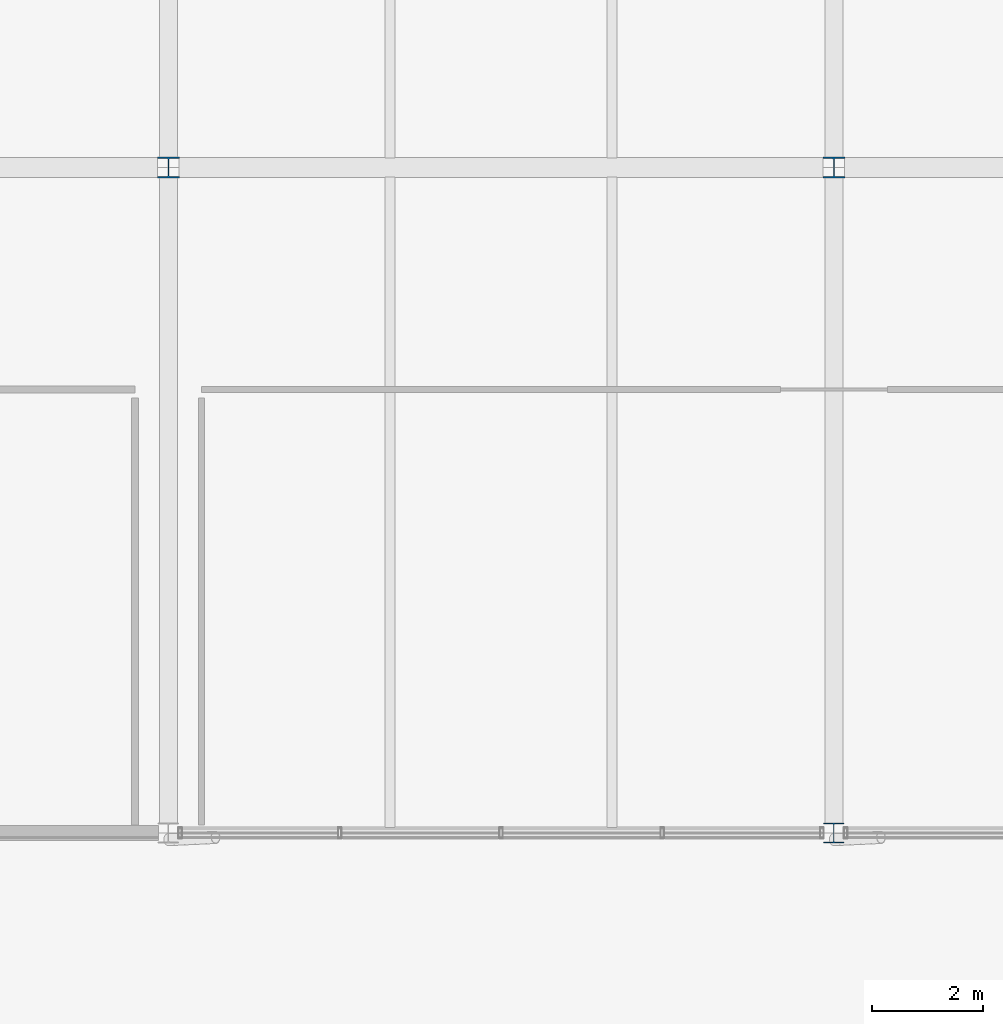
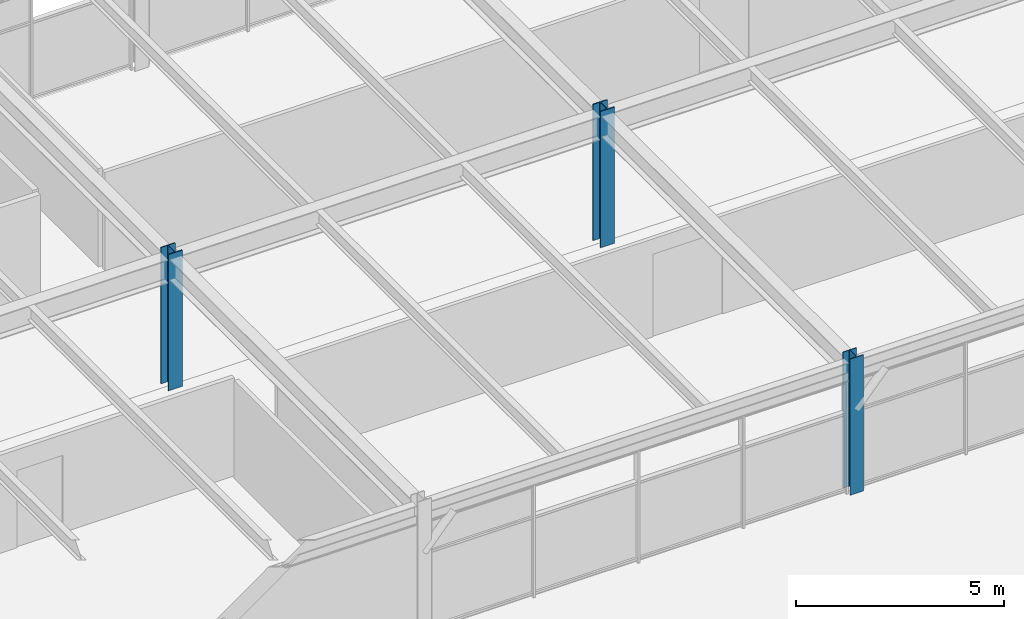
# One storey, part 2 of 30: 3 columns.
"""IFC4 building model written with IfcOpenShell, lengths in metres."""

import ifcopenshell
import ifcopenshell.guid

model = None  # the IFC model being written
_history = None  # IfcOwnerHistory: only IFC2X3 demands one
_inside = {}  # id of a spatial element -> (the spatial element, [elements in it])
_under = {}  # id of a project, library or spatial element -> (it, [spatial elements below it])
_declared = {}  # id of a project -> (the project, [libraries it declares])
_typed = {}  # id of a type object -> (the type object, [elements of that type])
_made_of = {}  # id of a material, layer set ... -> (it, [elements and type objects made of it])


def new_model(schema):
    """Start an empty IFC model of exactly this schema.

    Asked for "IFC4X3", IfcOpenShell would pick the latest addendum, in which some entities
    have other attributes; the version numbers below select the first issue.
    IFC2X3 requires an IfcOwnerHistory on every rooted entity: one is made here for all.
    """
    global model, _history
    if schema == "IFC4X3":
        model = ifcopenshell.file(schema_version=(4, 3, 0, 0))
    else:
        model = ifcopenshell.file(schema=schema)
    _inside.clear()
    _under.clear()
    _declared.clear()
    _typed.clear()
    _made_of.clear()
    _history = None
    if model.schema == "IFC2X3":
        org = make("IfcOrganization", Name="unknown")
        user = make(
            "IfcPersonAndOrganization",
            ThePerson=make("IfcPerson", FamilyName="unknown"),
            TheOrganization=org,
        )
        app = make(
            "IfcApplication",
            ApplicationDeveloper=org,
            Version="unknown",
            ApplicationFullName="unknown",
            ApplicationIdentifier="unknown",
        )
        _history = make(
            "IfcOwnerHistory",
            OwningUser=user,
            OwningApplication=app,
            ChangeAction="ADDED",
            CreationDate=0,
        )
    return model


def make(cls, **values):
    """One entity of the class cls with the attributes given. An attribute that is None is left unset."""
    return model.create_entity(
        cls, **{name: value for name, value in values.items() if value is not None}
    )


def rooted(cls, **values):
    """An entity with a GlobalId (a new one), such as an element, a storey or a relation."""
    return make(cls, GlobalId=ifcopenshell.guid.new(), OwnerHistory=_history, **values)


def si_unit(unit_type, name, prefix=None):
    """IfcSIUnit, for example si_unit("LENGTHUNIT", "METRE", prefix="MILLI")."""
    return make("IfcSIUnit", UnitType=unit_type, Prefix=prefix, Name=name)


def assignment(units):
    """IfcUnitAssignment: the units of a project."""
    return None if units is None else make("IfcUnitAssignment", Units=units)


def point(xyz):
    """IfcCartesianPoint."""
    return None if xyz is None else make("IfcCartesianPoint", Coordinates=xyz)


def direction(xyz):
    """IfcDirection."""
    return None if xyz is None else make("IfcDirection", DirectionRatios=xyz)


def frame(location, z_axis=None, x_axis=None):
    """IfcAxis2Placement3D, a coordinate frame: its origin and axes. An axis left out is left unset."""
    return make(
        "IfcAxis2Placement3D",
        Location=point(location),
        Axis=direction(z_axis),
        RefDirection=direction(x_axis),
    )


def frame_2d(location, x_axis=None):
    """IfcAxis2Placement2D, a coordinate frame in the plane: its origin and x axis."""
    return make(
        "IfcAxis2Placement2D", Location=point(location), RefDirection=direction(x_axis)
    )


def origin():
    """The frame at (0, 0, 0) with its axes left unset."""
    return frame((0.0, 0.0, 0.0))


def origin_2d():
    """The frame at (0, 0) in the plane with its x axis left unset."""
    return frame_2d((0.0, 0.0))


def place(relative_to, where):
    """IfcLocalPlacement: puts the frame where relative to a parent placement (None: the world)."""
    return make(
        "IfcLocalPlacement", PlacementRelTo=relative_to, RelativePlacement=where
    )


def context(
    kind, dimensions, precision=None, world=None, true_north=None, identifier=None
):
    """IfcGeometricRepresentationContext, for example the 3D "Model" context."""
    return make(
        "IfcGeometricRepresentationContext",
        ContextIdentifier=identifier,
        ContextType=kind,
        CoordinateSpaceDimension=dimensions,
        Precision=precision,
        WorldCoordinateSystem=world,
        TrueNorth=true_north,
    )


def subcontext(parent, identifier, kind, view, scale=None):
    """IfcGeometricRepresentationSubContext, for example "Body" below "Model"."""
    return make(
        "IfcGeometricRepresentationSubContext",
        ContextIdentifier=identifier,
        ContextType=kind,
        ParentContext=parent,
        TargetScale=scale,
        TargetView=view,
    )


def project(units=None, contexts=None):
    """IfcProject with its units and contexts."""
    return rooted(
        "IfcProject",
        Name="project",
        RepresentationContexts=contexts,
        UnitsInContext=assignment(units),
    )


def spatial(cls, under=None, at=None, **own):
    """A site, building, storey or space (cls), placed at a placement, below another one or the project."""
    s = rooted(cls, ObjectPlacement=at, **own)
    if under is not None:
        _under.setdefault(under.id(), (under, []))[1].append(s)
    return s


def profile(cls, at=None, kind="AREA", **sizes):
    """A parametric profile (cls). Its sizes go by their IFC names, for example OverallWidth=200.0."""
    return make(cls, ProfileType=kind, Position=at, **sizes)


def i_section(**sizes):
    """IfcIShapeProfileDef."""
    return profile("IfcIShapeProfileDef", **sizes)


def extrude(swept, where, along, depth):
    """IfcExtrudedAreaSolid: the profile swept, set in the frame where, extruded along a direction by depth."""
    return make(
        "IfcExtrudedAreaSolid",
        SweptArea=swept,
        Position=where,
        ExtrudedDirection=direction(along),
        Depth=depth,
    )


def shape(context_of_items, identifier, shape_type, items):
    """IfcShapeRepresentation: the items that make up one representation, for example the "Body"."""
    return make(
        "IfcShapeRepresentation",
        ContextOfItems=context_of_items,
        RepresentationIdentifier=identifier,
        RepresentationType=shape_type,
        Items=items,
    )


def material(Name=None, Category=None):
    """IfcMaterial."""
    return make("IfcMaterial", Name=Name, Category=Category)


def material_profile(
    of_material, cross_section, Name=None, Category=None, Priority=None
):
    """IfcMaterialProfile: a cross section and its material."""
    return make(
        "IfcMaterialProfile",
        Name=Name,
        Material=of_material,
        Profile=cross_section,
        Priority=Priority,
        Category=Category,
    )


def profile_set(profiles, Name=None, composite=None):
    """IfcMaterialProfileSet."""
    return make(
        "IfcMaterialProfileSet",
        Name=Name,
        MaterialProfiles=profiles,
        CompositeProfile=composite,
    )


def made_of(thing, what):
    """Note that an element or type object is made of a material, layer set ...; save() writes the relation."""
    if what is not None:
        _made_of.setdefault(what.id(), (what, []))[1].append(thing)
    return thing


def type_object(cls, material=None, **own):
    """A type object (cls), such as IfcWallType, which elements share."""
    return made_of(rooted(cls, **own), material)


def element(
    cls,
    number,
    at=None,
    inside=None,
    cuts=None,
    type_object=None,
    material=None,
    context=None,
    identifier="Body",
    shape_type=None,
    held_by="IfcProductDefinitionShape",
    body=None,
    shapes=None,
    **own,
):
    """One element of the class cls, such as IfcWall. Its Tag is "e" and its number.

    at: its placement. inside: the storey or other place that contains it. cuts: it is an
    opening in that element (IfcRelVoidsElement). A single representation is given by context,
    identifier, shape_type and body (its items); several are given by shapes. held_by: the class
    of the entity that holds the representations. save() writes the other relations.
    """
    e = rooted(cls, Tag="e%d" % number, ObjectPlacement=at, **own)
    if body is not None:
        shapes = [shape(context, identifier, shape_type, body)]
    if shapes is not None:
        e.Representation = make(held_by, Representations=shapes)
    if inside is not None:
        _inside.setdefault(inside.id(), (inside, []))[1].append(e)
    if cuts is not None:
        rooted(
            "IfcRelVoidsElement", RelatingBuildingElement=cuts, RelatedOpeningElement=e
        )
    if type_object is not None:
        _typed.setdefault(type_object.id(), (type_object, []))[1].append(e)
    return made_of(e, material)


def aggregate(whole, parts):
    """IfcRelAggregates: a whole, such as a stair, and the parts it consists of."""
    return rooted("IfcRelAggregates", RelatingObject=whole, RelatedObjects=parts)


def save(model, path):
    """Write the relations noted so far, then the file.

    IfcRelAggregates (storeys below a building ...), IfcRelContainedInSpatialStructure (elements
    in a storey), IfcRelDefinesByType, IfcRelAssociatesMaterial and IfcRelDeclares: one each for
    every whole, place, type object, material and project.
    """
    for whole, parts in _under.values():
        aggregate(whole, parts)
    for where, things in _inside.values():
        rooted(
            "IfcRelContainedInSpatialStructure",
            RelatedElements=things,
            RelatingStructure=where,
        )
    for kind, things in _typed.values():
        rooted("IfcRelDefinesByType", RelatedObjects=things, RelatingType=kind)
    for what, things in _made_of.values():
        rooted("IfcRelAssociatesMaterial", RelatedObjects=things, RelatingMaterial=what)
    for by, libraries in _declared.values():
        rooted("IfcRelDeclares", RelatingContext=by, RelatedDefinitions=libraries)
    model.write(path)


model = new_model("IFC4")

# Units and contexts
model_context = context("Model", 3, precision=1e-05, world=origin(), true_north=direction((0.0, 1.0)))
body_context = subcontext(model_context, "Body", "Model", "MODEL_VIEW")
ifc_project = project(units=[si_unit("LENGTHUNIT", "METRE"), si_unit("AREAUNIT", "SQUARE_METRE"), si_unit("VOLUMEUNIT", "CUBIC_METRE"), si_unit("PLANEANGLEUNIT", "RADIAN"), si_unit("MASSUNIT", "GRAM", prefix="KILO")], contexts=[model_context])

# Site, building, storey
site_placement = place(None, origin())
site = spatial("IfcSite", under=ifc_project, at=site_placement, CompositionType="ELEMENT")
building_placement = place(site_placement, origin())
building = spatial("IfcBuilding", under=site, at=building_placement, Name="Girod Span Mobility Hub", CompositionType="ELEMENT")
storey_placement = place(building_placement, frame((0.0, 0.0, 49.60009765625)))
storey = spatial("IfcBuildingStorey", under=building, at=storey_placement, Name="L12", CompositionType="ELEMENT", Elevation=49.60009765625)

# Columns
ifc_material_1 = material(Name="Steel A992 Grade 50", Category="steel")
ifc_material_profile_1 = material_profile(ifc_material_1, i_section(OverallWidth=0.39404296875, OverallDepth=0.375, WebThickness=0.017333984375, FlangeThickness=0.027587890625, FilletRadius=0.01806640625, at=origin_2d()), Name="W14X145")
ifc_profile_set_1 = profile_set([ifc_material_profile_1], Name="Steel A992 Grade 50")
column_type_1 = type_object("IfcColumnType", Name="COL-STL-W14X145", PredefinedType="COLUMN", material=ifc_profile_set_1)
for number, where, z_axis, x_axis, name in (
    (1, (72.0, 57.0, 0.0), (0.0, 0.0, 1.0), (1.0, 0.0, 0.0), "Column 7E L12"),
    (2, (84.0, 57.0, 0.0), (0.0, 0.0, 1.0), (1.0, 0.0, 0.0), "Column 8E L12"),
):
    element("IfcColumn", number, at=place(storey_placement, frame(where, z_axis=z_axis, x_axis=x_axis)), inside=storey, type_object=column_type_1, Name=name, PredefinedType="COLUMN", context=body_context, shape_type="SweptSolid", body=[
        extrude(i_section(OverallWidth=0.39404296875, OverallDepth=0.375, WebThickness=0.017333984375, FlangeThickness=0.027587890625, FilletRadius=0.01806640625, at=origin_2d()), origin(), (0.0, 0.0, 1.0), 4.0),
    ])
ifc_material_2 = material(Name="Steel A992 Grade 50", Category="steel")
ifc_material_profile_2 = material_profile(ifc_material_2, i_section(OverallWidth=0.368896484375, OverallDepth=0.35595703125, WebThickness=0.01123046875, FlangeThickness=0.01806640625, FilletRadius=0.01806640625, at=origin_2d()), Name="W14X90")
ifc_profile_set_2 = profile_set([ifc_material_profile_2], Name="Steel A992 Grade 50")
column_type_2 = type_object("IfcColumnType", Name="COL-STL-W14X90", PredefinedType="COLUMN", material=ifc_profile_set_2)
column_placement = place(storey_placement, frame((84.0, 45.0, 0.0), z_axis=(0.0, 0.0, 1.0), x_axis=(1.0, 0.0, 0.0)))
element("IfcColumn", 3, at=column_placement, inside=storey, type_object=column_type_2, Name="Column 8D L12", PredefinedType="COLUMN", context=body_context, shape_type="SweptSolid", body=[
    extrude(i_section(OverallWidth=0.368896484375, OverallDepth=0.35595703125, WebThickness=0.01123046875, FlangeThickness=0.01806640625, FilletRadius=0.01806640625, at=origin_2d()), origin(), (0.0, 0.0, 1.0), 4.0),
])

save(model, "model.ifc")
